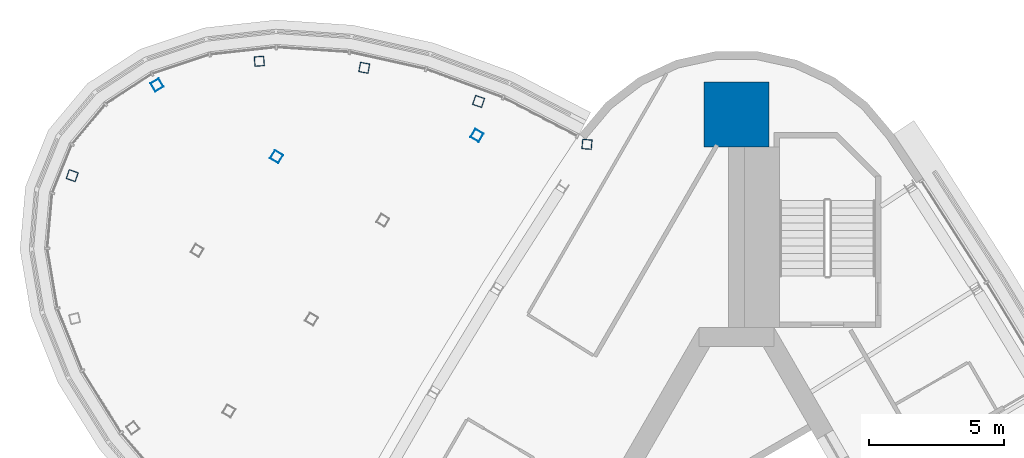
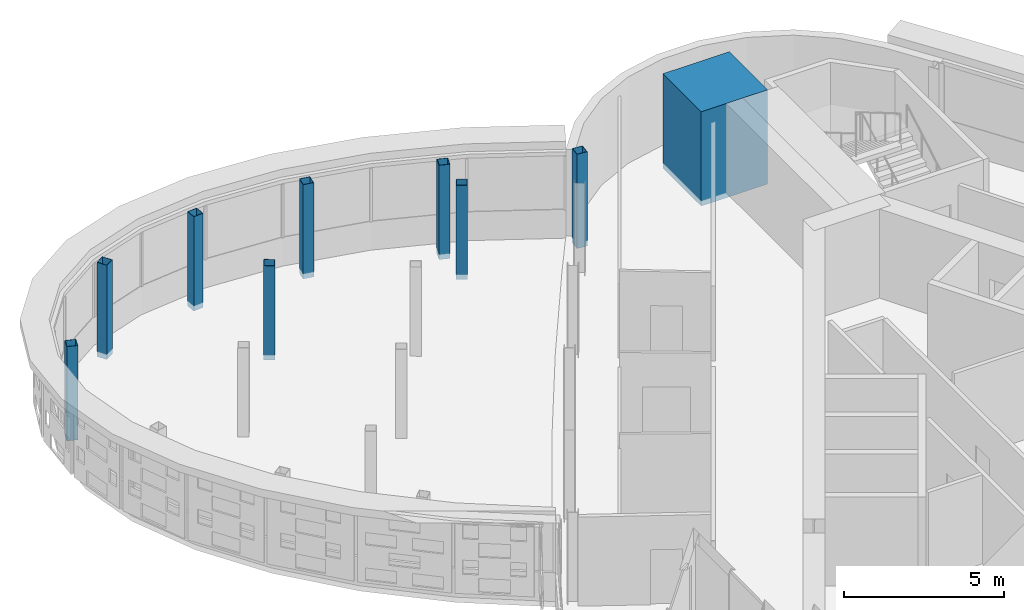
# One storey, part 3 of 13: 9 columns.
"""IFC4 building model written with IfcOpenShell, lengths in metres."""

from ifc_helpers import new_model, si_unit, direction, frame, origin, origin_2d, place, context, subcontext, project, spatial, rectangle, hollow_rectangle, extrude, material, material_profile, profile_set, type_object, element, save


model = new_model("IFC4")

# Units and contexts
model_context = context("Model", 3, precision=1e-05, world=origin(), true_north=direction((0.0, 1.0)))
body_context = subcontext(model_context, "Body", "Model", "MODEL_VIEW")
ifc_project = project(units=[si_unit("LENGTHUNIT", "METRE"), si_unit("AREAUNIT", "SQUARE_METRE"), si_unit("VOLUMEUNIT", "CUBIC_METRE"), si_unit("PLANEANGLEUNIT", "RADIAN"), si_unit("MASSUNIT", "GRAM", prefix="KILO")], contexts=[model_context])

# Site, building, storey
site_placement = place(None, origin())
site = spatial("IfcSite", under=ifc_project, at=site_placement, CompositionType="ELEMENT")
building_placement = place(site_placement, origin())
building = spatial("IfcBuilding", under=site, at=building_placement, Name="Noor Cloister Tower", CompositionType="ELEMENT")
storey_placement = place(building_placement, frame((0.0, 0.0, 263.39990234375)))
storey = spatial("IfcBuildingStorey", under=building, at=storey_placement, Name="L67", CompositionType="ELEMENT", Elevation=263.39990234375)

# Columns
ifc_material_1 = material(Name="Concrete C60/75", Category="concrete")
ifc_material_profile_1 = material_profile(ifc_material_1, rectangle(XDim=2.39990234375, YDim=2.39990234375, at=origin_2d()), Name="RC 2400x2400")
ifc_profile_set_1 = profile_set([ifc_material_profile_1], Name="Concrete C60/75")
column_type_1 = type_object("IfcColumnType", Name="Corner pier 2400 x 2400 C60/75", PredefinedType="COLUMN", material=ifc_profile_set_1)
column_placement = place(storey_placement, frame((0.0, 19.3349609375, -0.199951171875), z_axis=(0.0, 0.0, 1.0), x_axis=(0.0, 1.0, 0.0)))
element("IfcColumn", 1, at=column_placement, inside=storey, type_object=column_type_1, Name="Corner pier N L67", PredefinedType="COLUMN", context=body_context, shape_type="SweptSolid", body=[
    extrude(rectangle(XDim=2.39990234375, YDim=2.39990234375, at=origin_2d()), origin(), (0.0, 0.0, 1.0), 3.60009765625),
])
ifc_material_2 = material(Name="Steel ASTM A500 Gr C", Category="steel")
ifc_material_profile_2 = material_profile(ifc_material_2, hollow_rectangle(XDim=0.35595703125, YDim=0.35595703125, WallThickness=0.0126953125, at=origin_2d()), Name="HSS355.6x355.6x12.7")
ifc_profile_set_2 = profile_set([ifc_material_profile_2], Name="Steel ASTM A500 Gr C")
column_type_2 = type_object("IfcColumnType", Name="Pod post HSS355.6x355.6x12.7", PredefinedType="COLUMN", material=ifc_profile_set_2)
for number, where, z_axis, x_axis, name in (
    (2, (-9.59765625, 18.558349609375, -0.199951171875), (0.0, 0.0, 1.0), (-0.857566798966, 0.514372613299, 0.0), "Pod post 5 L67 line 1 node 1"),
    (3, (-17.0048828125, 17.771240234375, -0.199951171875), (0.0, 0.0, 1.0), (-0.857566798966, 0.514372613299, 0.0), "Pod post 5 L67 line 2 node 2"),
    (4, (-5.529296875, 18.228271484375, -0.199951171875), (0.0, 0.0, 1.0), (-0.996283580932, 0.086133770183, 0.0), "Pod post 5 L67 ring 2"),
    (5, (-9.53759765625, 19.815673828125, -0.199951171875), (0.0, 0.0, 1.0), (-0.945745789628, 0.324907527462, 0.0), "Pod post 5 L67 ring 3"),
    (6, (-13.76416015625, 21.057373046875, -0.199951171875), (0.0, 0.0, 1.0), (-0.983656388014, 0.180055853333, 0.0), "Pod post 5 L67 ring 4"),
    (7, (-17.643798828125, 21.299560546875, -0.199951171875), (0.0, 0.0, 1.0), (-0.99658507003, -0.08257238154, 0.0), "Pod post 5 L67 ring 5"),
    (8, (-21.425537109375, 20.422607421875, -0.199951171875), (0.0, 0.0, 1.0), (-0.853154382661, -0.521658508362, 0.0), "Pod post 5 L67 ring 6"),
    (9, (-24.56005859375, 17.070556640625, -0.199951171875), (0.0, 0.0, 1.0), (-0.332678988267, -0.943040132108, 0.0), "Pod post 5 L67 ring 7"),
):
    element("IfcColumn", number, at=place(storey_placement, frame(where, z_axis=z_axis, x_axis=x_axis)), inside=storey, type_object=column_type_2, Name=name, PredefinedType="COLUMN", context=body_context, shape_type="SweptSolid", body=[
        extrude(hollow_rectangle(XDim=0.35595703125, YDim=0.35595703125, WallThickness=0.0126953125, at=origin_2d()), origin(), (0.0, 0.0, 1.0), 3.60009765625),
    ])

save(model, "model.ifc")
